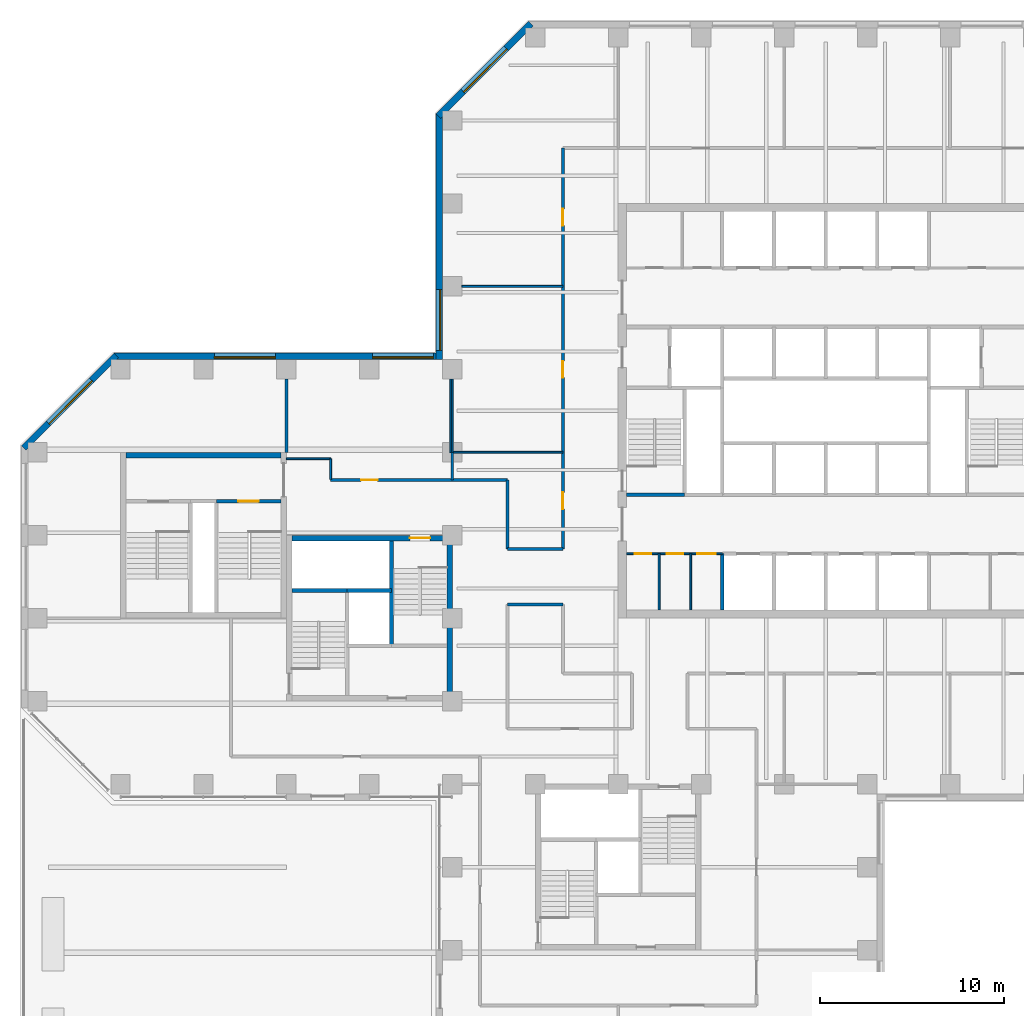
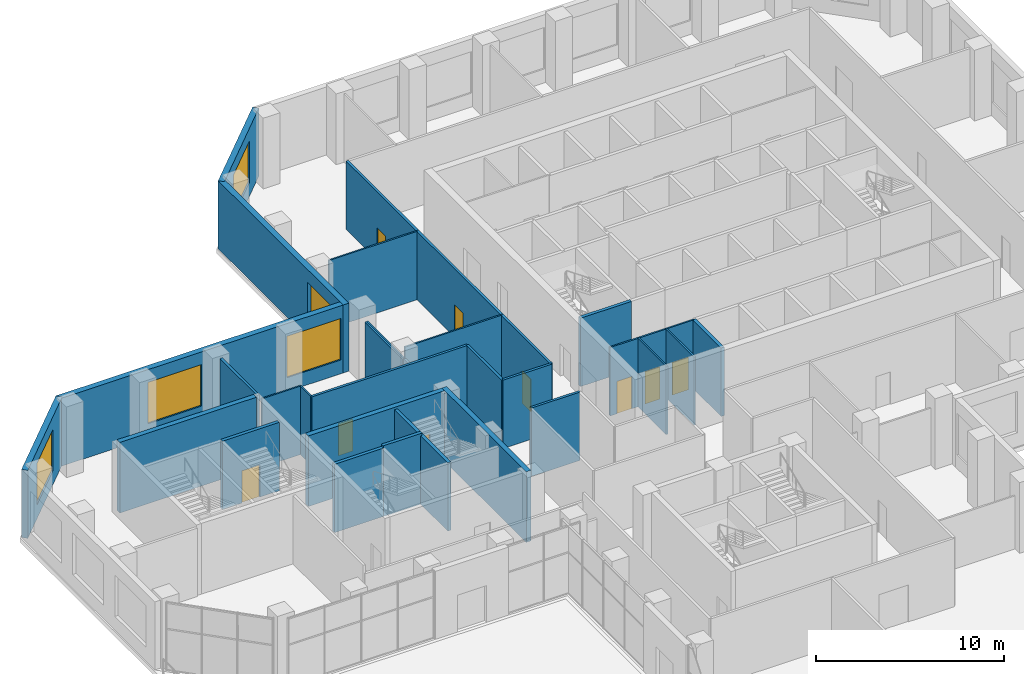
# One storey, part 8 of 14: 29 walls, 9 doors, 5 windows, 14 openings.
"""IFC4 building model written with IfcOpenShell, lengths in metres."""

from ifc_helpers import new_model, si_unit, direction, frame, frame_2d, origin, place, context, subcontext, project, spatial, rectangle, extrude, material, layer, layer_set, constituent, constituent_set, type_object, element, fill, save


model = new_model("IFC4")

# Units and contexts
model_context = context("Model", 3, precision=1e-05, world=origin(), true_north=direction((0.0, 1.0)))
body_context = subcontext(model_context, "Body", "Model", "MODEL_VIEW")
ifc_project = project(units=[si_unit("LENGTHUNIT", "METRE"), si_unit("AREAUNIT", "SQUARE_METRE"), si_unit("VOLUMEUNIT", "CUBIC_METRE"), si_unit("PLANEANGLEUNIT", "RADIAN"), si_unit("MASSUNIT", "GRAM", prefix="KILO")], contexts=[model_context])

# Site, building, storey
site_placement = place(None, origin())
site = spatial("IfcSite", under=ifc_project, at=site_placement, CompositionType="ELEMENT")
building_placement = place(site_placement, origin())
building = spatial("IfcBuilding", under=site, at=building_placement, Name="Quoin Convention Tower", CompositionType="ELEMENT")
storey_placement = place(building_placement, frame((0.0, 0.0, 74.300048828125)))
storey = spatial("IfcBuildingStorey", under=building, at=storey_placement, Name="L19", CompositionType="ELEMENT", Elevation=74.300048828125)

# Wall, opening, window
ifc_material_1 = material(Name="Brick masonry", Category="masonry")
ifc_layer_1 = layer(ifc_material_1, 0.35009765625)
ifc_layer_set_1 = layer_set([ifc_layer_1], Name="Brick masonry")
wall_type_1 = type_object("IfcWallType", Name="Brick facade wall", PredefinedType="STANDARD", material=ifc_layer_set_1)
wall_1_placement = place(storey_placement, frame((40.26123046875, 81.751220703125, 0.0), z_axis=(0.0, 0.0, 1.0), x_axis=(-0.707106781187, -0.707106781187, 0.0)))
wall_1 = element("IfcWall", 1, at=wall_1_placement, inside=storey, type_object=wall_type_1, Name="fw-L19-40500_81000", PredefinedType="STANDARD", context=body_context, shape_type="SweptSolid", body=[
    extrude(rectangle(XDim=7.088623046875, YDim=0.35009765625, at=frame_2d((3.54443359375, 0.0))), origin(), (0.0, 0.0, 1.0), 4.425048828125),
])
opening_1_placement = place(wall_1_placement, frame((1.894287109375, 0.0, 0.89990234375)))
opening_1 = element("IfcOpeningElement", 2, at=opening_1_placement, cuts=wall_1, Name="Opening W-03", PredefinedType="OPENING", context=body_context, shape_type="SweptSolid", body=[
    extrude(rectangle(XDim=3.300048828125, YDim=2.699951171875, at=frame_2d((1.64990234375, 1.35009765625))), frame((0.0, 0.18505859375, 0.0), z_axis=(0.0, -1.0, 0.0), x_axis=(1.0, 0.0, 0.0)), (0.0, 0.0, 1.0), 0.3701171875),
])
ifc_material_2 = material(Name="Aluminium", Category="aluminium")
ifc_constituent_1 = constituent(ifc_material_2, Name="Frame")
ifc_material_3 = material(Name="Insulated glass", Category="glass")
ifc_constituent_2 = constituent(ifc_material_3, Name="Glazing")
ifc_constituent_set = constituent_set(constituents=[ifc_constituent_1, ifc_constituent_2], Name="Aluminium")
window_type = type_object("IfcWindowType", Name="Sky lobby window", PartitioningType="DOUBLE_PANEL_VERTICAL", PredefinedType="WINDOW", material=ifc_constituent_set)
window_1_placement = place(opening_1_placement, origin())
window_1 = element("IfcWindow", 3, at=window_1_placement, inside=storey, type_object=window_type, Name="win-L19-37755_79245", OverallHeight=2.699951171875, OverallWidth=3.300048828125, PartitioningType="SINGLE_PANEL", PredefinedType="WINDOW", context=body_context, shape_type="SweptSolid", body=[
    extrude(rectangle(XDim=3.300048828125, YDim=2.699951171875, at=frame_2d((1.64990234375, 1.35009765625))), frame((0.0, 0.0849609375, 0.0), z_axis=(0.0, -1.0, 0.0), x_axis=(1.0, 0.0, 0.0)), (0.0, 0.0, 1.0), 0.06005859375),
])
fill(opening_1, window_1)

wall_2_placement = place(storey_placement, frame((35.300048828125, 76.8623046875, 0.0), z_axis=(0.0, 0.0, 1.0), x_axis=(0.0, -1.0, 0.0)))
wall_2 = element("IfcWall", 4, at=wall_2_placement, inside=storey, type_object=wall_type_1, Name="fw-L19-36000_76500", PredefinedType="STANDARD", context=body_context, shape_type="SweptSolid", body=[
    extrude(rectangle(XDim=13.33740234375, YDim=0.35009765625, at=frame_2d((6.668701171875, 0.0))), origin(), (0.0, 0.0, 1.0), 4.425048828125),
])
opening_2_placement = place(wall_2_placement, frame((9.537353515625, 0.0, 0.89990234375)))
opening_2 = element("IfcOpeningElement", 5, at=opening_2_placement, cuts=wall_2, Name="Opening W-03", PredefinedType="OPENING", context=body_context, shape_type="SweptSolid", body=[
    extrude(rectangle(XDim=3.300048828125, YDim=2.699951171875, at=frame_2d((1.64990234375, 1.35009765625))), frame((0.0, 0.18505859375, 0.0), z_axis=(0.0, -1.0, 0.0), x_axis=(1.0, 0.0, 0.0)), (0.0, 0.0, 1.0), 0.3701171875),
])
window_2_placement = place(opening_2_placement, origin())
window_2 = element("IfcWindow", 6, at=window_2_placement, inside=storey, type_object=window_type, Name="win-L19-35300_65250", OverallHeight=2.699951171875, OverallWidth=3.300048828125, PartitioningType="SINGLE_PANEL", PredefinedType="WINDOW", context=body_context, shape_type="SweptSolid", body=[
    extrude(rectangle(XDim=3.300048828125, YDim=2.699951171875, at=frame_2d((1.64990234375, 1.35009765625))), frame((0.0, 0.0849609375, 0.0), z_axis=(0.0, -1.0, 0.0), x_axis=(1.0, 0.0, 0.0)), (0.0, 0.0, 1.0), 0.06005859375),
])
fill(opening_2, window_2)

# Wall, openings, windows
wall_3_placement = place(storey_placement, frame((35.47509765625, 63.699951171875, 0.0), z_axis=(0.0, 0.0, 1.0), x_axis=(-1.0, 0.0, 0.0)))
wall_3 = element("IfcWall", 7, at=wall_3_placement, inside=storey, type_object=wall_type_1, Name="fw-L19-36000_63000", PredefinedType="STANDARD", context=body_context, shape_type="SweptSolid", body=[
    extrude(rectangle(XDim=17.83740234375, YDim=0.35009765625, at=frame_2d((8.918701171875, 0.0))), origin(), (0.0, 0.0, 1.0), 4.425048828125),
])
opening_3_placement = place(wall_3_placement, frame((0.5, 0.0, 0.89990234375)))
opening_3 = element("IfcOpeningElement", 8, at=opening_3_placement, cuts=wall_3, Name="Opening W-03", PredefinedType="OPENING", context=body_context, shape_type="SweptSolid", body=[
    extrude(rectangle(XDim=3.300048828125, YDim=2.699951171875, at=frame_2d((1.64990234375, 1.35009765625))), frame((0.0, 0.18505859375, 0.0), z_axis=(0.0, -1.0, 0.0), x_axis=(1.0, 0.0, 0.0)), (0.0, 0.0, 1.0), 0.3701171875),
])
opening_4_placement = place(wall_3_placement, frame((9.074951171875, 0.0, 0.89990234375)))
opening_4 = element("IfcOpeningElement", 9, at=opening_4_placement, cuts=wall_3, Name="Opening W-03", PredefinedType="OPENING", context=body_context, shape_type="SweptSolid", body=[
    extrude(rectangle(XDim=3.300048828125, YDim=2.699951171875, at=frame_2d((1.64990234375, 1.35009765625))), frame((0.0, 0.18505859375, 0.0), z_axis=(0.0, -1.0, 0.0), x_axis=(1.0, 0.0, 0.0)), (0.0, 0.0, 1.0), 0.3701171875),
])
window_3_placement = place(opening_3_placement, origin())
window_3 = element("IfcWindow", 10, at=window_3_placement, inside=storey, type_object=window_type, Name="win-L19-33750_63700", OverallHeight=2.699951171875, OverallWidth=3.300048828125, PartitioningType="SINGLE_PANEL", PredefinedType="WINDOW", context=body_context, shape_type="SweptSolid", body=[
    extrude(rectangle(XDim=3.300048828125, YDim=2.699951171875, at=frame_2d((1.64990234375, 1.35009765625))), frame((0.0, 0.0849609375, 0.0), z_axis=(0.0, -1.0, 0.0), x_axis=(1.0, 0.0, 0.0)), (0.0, 0.0, 1.0), 0.06005859375),
])
fill(opening_3, window_3)
window_4_placement = place(opening_4_placement, origin())
window_4 = element("IfcWindow", 11, at=window_4_placement, inside=storey, type_object=window_type, Name="win-L19-24750_63700", OverallHeight=2.699951171875, OverallWidth=3.300048828125, PartitioningType="SINGLE_PANEL", PredefinedType="WINDOW", context=body_context, shape_type="SweptSolid", body=[
    extrude(rectangle(XDim=3.300048828125, YDim=2.699951171875, at=frame_2d((1.64990234375, 1.35009765625))), frame((0.0, 0.0849609375, 0.0), z_axis=(0.0, -1.0, 0.0), x_axis=(1.0, 0.0, 0.0)), (0.0, 0.0, 1.0), 0.06005859375),
])
fill(opening_4, window_4)

# Wall, opening, window
wall_4_placement = place(storey_placement, frame((17.76123046875, 63.751220703125, 0.0), z_axis=(0.0, 0.0, 1.0), x_axis=(-0.707106781187, -0.707106781187, 0.0)))
wall_4 = element("IfcWall", 12, at=wall_4_placement, inside=storey, type_object=wall_type_1, Name="fw-L19-18000_63000", PredefinedType="STANDARD", context=body_context, shape_type="SweptSolid", body=[
    extrude(rectangle(XDim=7.088623046875, YDim=0.35009765625, at=frame_2d((3.54443359375, 0.0))), origin(), (0.0, 0.0, 1.0), 4.425048828125),
])
opening_5_placement = place(wall_4_placement, frame((1.894287109375, 0.0, 0.89990234375)))
opening_5 = element("IfcOpeningElement", 13, at=opening_5_placement, cuts=wall_4, Name="Opening W-03", PredefinedType="OPENING", context=body_context, shape_type="SweptSolid", body=[
    extrude(rectangle(XDim=3.300048828125, YDim=2.699951171875, at=frame_2d((1.64990234375, 1.35009765625))), frame((0.0, 0.18505859375, 0.0), z_axis=(0.0, -1.0, 0.0), x_axis=(1.0, 0.0, 0.0)), (0.0, 0.0, 1.0), 0.3701171875),
])
window_5_placement = place(opening_5_placement, origin())
window_5 = element("IfcWindow", 14, at=window_5_placement, inside=storey, type_object=window_type, Name="win-L19-15255_61245", OverallHeight=2.699951171875, OverallWidth=3.300048828125, PartitioningType="SINGLE_PANEL", PredefinedType="WINDOW", context=body_context, shape_type="SweptSolid", body=[
    extrude(rectangle(XDim=3.300048828125, YDim=2.699951171875, at=frame_2d((1.64990234375, 1.35009765625))), frame((0.0, 0.0849609375, 0.0), z_axis=(0.0, -1.0, 0.0), x_axis=(1.0, 0.0, 0.0)), (0.0, 0.0, 1.0), 0.06005859375),
])
fill(opening_5, window_5)

# Wall, openings, doors
ifc_material_4 = material(Name="Plasterboard")
ifc_layer_2 = layer(ifc_material_4, 0.012451171875, Name="Finish")
ifc_material_5 = material(Name="Steel stud framing", Category="steel")
ifc_layer_3 = layer(ifc_material_5, 0.074951171875, Name="Structure")
ifc_layer_4 = layer(ifc_material_4, 0.012451171875, Name="Finish")
ifc_layer_set_2 = layer_set([ifc_layer_2, ifc_layer_3, ifc_layer_4], Name="Steel stud framing")
wall_type_2 = type_object("IfcWallType", Name="Core partition wall", PredefinedType="PARTITIONING", material=ifc_layer_set_2)
wall_5_placement = place(storey_placement, frame((45.449951171875, 53.0, 0.0), z_axis=(0.0, 0.0, 1.0), x_axis=(1.0, 0.0, 0.0)))
wall_5 = element("IfcWall", 15, at=wall_5_placement, inside=storey, type_object=wall_type_2, Name="cr-C1-L19-h3500_450", PredefinedType="PARTITIONING", context=body_context, shape_type="SweptSolid", body=[
    extrude(rectangle(XDim=5.199951171875, YDim=0.10009765625, at=frame_2d((2.60009765625, 0.0))), origin(), (0.0, 0.0, 1.0), 4.449951171875),
])
opening_6_placement = place(wall_5_placement, frame((0.43408203125, 0.0, 0.0)))
opening_6 = element("IfcOpeningElement", 16, at=opening_6_placement, cuts=wall_5, Name="Opening DCV1-37", PredefinedType="OPENING", context=body_context, shape_type="SweptSolid", body=[
    extrude(rectangle(XDim=0.89990234375, YDim=2.10009765625, at=frame_2d((0.449951171875, 1.050048828125))), frame((0.0, 0.06005859375, 0.0), z_axis=(0.0, -1.0, 0.0), x_axis=(1.0, 0.0, 0.0)), (0.0, 0.0, 1.0), 0.1201171875),
])
opening_7_placement = place(wall_5_placement, frame((2.176025390625, 0.0, 0.0)))
opening_7 = element("IfcOpeningElement", 17, at=opening_7_placement, cuts=wall_5, Name="Opening DCV1-38", PredefinedType="OPENING", context=body_context, shape_type="SweptSolid", body=[
    extrude(rectangle(XDim=0.89990234375, YDim=2.10009765625, at=frame_2d((0.449951171875, 1.050048828125))), frame((0.0, 0.06005859375, 0.0), z_axis=(0.0, -1.0, 0.0), x_axis=(1.0, 0.0, 0.0)), (0.0, 0.0, 1.0), 0.1201171875),
])
opening_8_placement = place(wall_5_placement, frame((3.842041015625, 0.0, 0.0)))
opening_8 = element("IfcOpeningElement", 18, at=opening_8_placement, cuts=wall_5, Name="Opening DCV1-39", PredefinedType="OPENING", context=body_context, shape_type="SweptSolid", body=[
    extrude(rectangle(XDim=1.0, YDim=2.10009765625, at=frame_2d((0.5, 1.050048828125))), frame((0.0, 0.06005859375, 0.0), z_axis=(0.0, -1.0, 0.0), x_axis=(1.0, 0.0, 0.0)), (0.0, 0.0, 1.0), 0.1201171875),
])
ifc_material_6 = material(Name="Steel door leaf", Category="steel")
door_type_1 = type_object("IfcDoorType", Name="Core room door 1000 x 2100", OperationType="SINGLE_SWING_LEFT", PredefinedType="DOOR", material=ifc_material_6)
door_1_placement = place(opening_8_placement, frame((1.0, 0.0, 0.0), z_axis=(0.0, 0.0, 1.0), x_axis=(-1.0, 0.0, 0.0)))
door_1 = element("IfcDoor", 19, at=door_1_placement, inside=storey, type_object=door_type_1, Name="cd-C1-L19-CSW2-lobA-CD1914", OperationType="SINGLE_SWING_LEFT", OverallHeight=2.10009765625, OverallWidth=1.0, PredefinedType="DOOR", context=body_context, shape_type="SweptSolid", body=[
    extrude(rectangle(XDim=1.0, YDim=2.10009765625, at=frame_2d((0.5, 1.050048828125))), frame((0.0, 0.02490234375, 0.0), z_axis=(0.0, -1.0, 0.0), x_axis=(1.0, 0.0, 0.0)), (0.0, 0.0, 1.0), 0.050048828125),
])
fill(opening_8, door_1)
door_type_2 = type_object("IfcDoorType", Name="Core room door 900 x 2100", OperationType="SINGLE_SWING_LEFT", PredefinedType="DOOR", material=ifc_material_6)
door_2_placement = place(opening_6_placement, frame((0.89990234375, 0.0, 0.0), z_axis=(0.0, 0.0, 1.0), x_axis=(-1.0, 0.0, 0.0)))
door_2 = element("IfcDoor", 20, at=door_2_placement, inside=storey, type_object=door_type_2, Name="cd-C1-L19-CSW0-lobA-CD1912", OperationType="SINGLE_SWING_LEFT", OverallHeight=2.10009765625, OverallWidth=0.89990234375, PredefinedType="DOOR", context=body_context, shape_type="SweptSolid", body=[
    extrude(rectangle(XDim=0.89990234375, YDim=2.10009765625, at=frame_2d((0.449951171875, 1.050048828125))), frame((0.0, 0.02490234375, 0.0), z_axis=(0.0, -1.0, 0.0), x_axis=(1.0, 0.0, 0.0)), (0.0, 0.0, 1.0), 0.050048828125),
])
fill(opening_6, door_2)
door_3_placement = place(opening_7_placement, frame((0.89990234375, 0.0, 0.0), z_axis=(0.0, 0.0, 1.0), x_axis=(-1.0, 0.0, 0.0)))
door_3 = element("IfcDoor", 21, at=door_3_placement, inside=storey, type_object=door_type_2, Name="cd-C1-L19-CSW1-lobA-CD1913", OperationType="SINGLE_SWING_LEFT", OverallHeight=2.10009765625, OverallWidth=0.89990234375, PredefinedType="DOOR", context=body_context, shape_type="SweptSolid", body=[
    extrude(rectangle(XDim=0.89990234375, YDim=2.10009765625, at=frame_2d((0.449951171875, 1.050048828125))), frame((0.0, 0.02490234375, 0.0), z_axis=(0.0, -1.0, 0.0), x_axis=(1.0, 0.0, 0.0)), (0.0, 0.0, 1.0), 0.050048828125),
])
fill(opening_7, door_3)

# Walls
for number, where, z_axis, x_axis, name in (
    (22, (47.218017578125, 49.949951171875, 0.0), (0.0, 0.0, 1.0), (0.0, 1.0, 0.0), "cr-C1-L19-v2218_450"),
    (23, (48.93408203125, 49.949951171875, 0.0), (0.0, 0.0, 1.0), (0.0, 1.0, 0.0), "cr-C1-L19-v3934_450"),
):
    element("IfcWall", number, at=place(storey_placement, frame(where, z_axis=z_axis, x_axis=x_axis)), inside=storey, type_object=wall_type_2, Name=name, PredefinedType="PARTITIONING", context=body_context, shape_type="SweptSolid", body=[
        extrude(rectangle(XDim=3.050048828125, YDim=0.10009765625, at=frame_2d((1.52490234375, 0.0))), origin(), (0.0, 0.0, 1.0), 4.449951171875),
    ])
ifc_material_7 = material(Name="Concrete C50", Category="concrete")
ifc_layer_5 = layer(ifc_material_7, 0.199951171875)
ifc_layer_set_3 = layer_set([ifc_layer_5], Name="Concrete C50")
wall_type_3 = type_object("IfcWallType", Name="Core shaft wall", PredefinedType="SOLIDWALL", material=ifc_layer_set_3)
wall_6_placement = place(storey_placement, frame((45.449951171875, 56.199951171875, 0.0), z_axis=(0.0, 0.0, 1.0), x_axis=(1.0, 0.0, 0.0)))
element("IfcWall", 24, at=wall_6_placement, inside=storey, type_object=wall_type_3, Name="cr-C1-L19-h6700_450", PredefinedType="SOLIDWALL", context=body_context, shape_type="SweptSolid", body=[
    extrude(rectangle(XDim=3.150146484375, YDim=0.199951171875, at=frame_2d((1.5751953125, 0.0))), origin(), (0.0, 0.0, 1.0), 4.449951171875),
])
wall_7_placement = place(storey_placement, frame((50.64990234375, 49.949951171875, 0.0), z_axis=(0.0, 0.0, 1.0), x_axis=(0.0, 1.0, 0.0)))
element("IfcWall", 25, at=wall_7_placement, inside=storey, type_object=wall_type_3, Name="cr-C1-L19-v5650_450", PredefinedType="SOLIDWALL", context=body_context, shape_type="SweptSolid", body=[
    extrude(rectangle(XDim=3.050048828125, YDim=0.199951171875, at=frame_2d((1.52490234375, 0.0))), origin(), (0.0, 0.0, 1.0), 4.449951171875),
])
wall_8_placement = place(storey_placement, frame((27.300048828125, 51.0, 0.0), z_axis=(0.0, 0.0, 1.0), x_axis=(1.0, 0.0, 0.0)))
element("IfcWall", 26, at=wall_8_placement, inside=storey, type_object=wall_type_3, Name="cr-P2-L19-h6000_300", PredefinedType="SOLIDWALL", context=body_context, shape_type="SweptSolid", body=[
    extrude(rectangle(XDim=3.0, YDim=0.199951171875, at=frame_2d((1.5, 0.0))), origin(), (0.0, 0.0, 1.0), 4.449951171875),
])
wall_9_placement = place(storey_placement, frame((32.699951171875, 48.0, 0.0), z_axis=(0.0, 0.0, 1.0), x_axis=(0.0, 1.0, 0.0)))
element("IfcWall", 27, at=wall_9_placement, inside=storey, type_object=wall_type_3, Name="cr-P2-L19-v5700_3000", PredefinedType="SOLIDWALL", context=body_context, shape_type="SweptSolid", body=[
    extrude(rectangle(XDim=5.699951171875, YDim=0.199951171875, at=frame_2d((2.85009765625, 0.0))), origin(), (0.0, 0.0, 1.0), 4.449951171875),
])

# Wall, opening, door
wall_10_placement = place(storey_placement, frame((23.199951171875, 55.85009765625, 0.0), z_axis=(0.0, 0.0, 1.0), x_axis=(1.0, 0.0, 0.0)))
wall_10 = element("IfcWall", 28, at=wall_10_placement, inside=storey, type_object=wall_type_3, Name="cr-P6-L19-h6350_5200", PredefinedType="SOLIDWALL", context=body_context, shape_type="SweptSolid", body=[
    extrude(rectangle(XDim=3.5, YDim=0.199951171875, at=frame_2d((1.75, 0.0))), origin(), (0.0, 0.0, 1.0), 4.449951171875),
])
opening_9_placement = place(wall_10_placement, frame((1.199951171875, 0.0, 0.0)))
opening_9 = element("IfcOpeningElement", 29, at=opening_9_placement, cuts=wall_10, Name="Opening SD12", PredefinedType="OPENING", context=body_context, shape_type="SweptSolid", body=[
    extrude(rectangle(XDim=1.10009765625, YDim=2.10009765625, at=frame_2d((0.550048828125, 1.050048828125))), frame((0.0, 0.10986328125, 0.0), z_axis=(0.0, -1.0, 0.0), x_axis=(1.0, 0.0, 0.0)), (0.0, 0.0, 1.0), 0.219970703125),
])
door_type_3 = type_object("IfcDoorType", Name="Stair door 1100 x 2100", OperationType="SINGLE_SWING_RIGHT", PredefinedType="DOOR", material=ifc_material_6)
door_4_placement = place(opening_9_placement, origin())
door_4 = element("IfcDoor", 30, at=door_4_placement, inside=storey, type_object=door_type_3, Name="cd-P6-L19-SB-R2-SD12", OperationType="SINGLE_SWING_RIGHT", OverallHeight=2.10009765625, OverallWidth=1.10009765625, PredefinedType="DOOR", context=body_context, shape_type="SweptSolid", body=[
    extrude(rectangle(XDim=1.10009765625, YDim=2.10009765625, at=frame_2d((0.550048828125, 1.050048828125))), frame((0.0, 0.02490234375, 0.0), z_axis=(0.0, -1.0, 0.0), x_axis=(1.0, 0.0, 0.0)), (0.0, 0.0, 1.0), 0.050048828125),
])
fill(opening_9, door_4)

# Wall
ifc_layer_6 = layer(ifc_material_7, 0.199951171875)
ifc_layer_set_4 = layer_set([ifc_layer_6], Name="Concrete C50")
wall_type_4 = type_object("IfcWallType", Name="Core shaft wall to the floor level over", PredefinedType="SOLIDWALL", material=ifc_layer_set_4)
wall_11_placement = place(storey_placement, frame((30.300048828125, 51.0, 0.0), z_axis=(0.0, 0.0, 1.0), x_axis=(1.0, 0.0, 0.0)))
element("IfcWall", 31, at=wall_11_placement, inside=storey, type_object=wall_type_4, Name="cr-P2-L19-h6000_3300", PredefinedType="SOLIDWALL", context=body_context, shape_type="SweptSolid", body=[
    extrude(rectangle(XDim=2.39990234375, YDim=0.199951171875, at=frame_2d((1.199951171875, 0.0))), origin(), (0.0, 0.0, 1.0), 4.599853515625),
])

# Wall, opening, door
ifc_material_8 = material(Name="Concrete C65", Category="concrete")
ifc_layer_7 = layer(ifc_material_8, 0.300048828125)
ifc_layer_set_5 = layer_set([ifc_layer_7], Name="Concrete C65")
wall_type_5 = type_object("IfcWallType", Name="RC CORE WALL 300 C65", PredefinedType="SHEAR", material=ifc_layer_set_5)
wall_12_placement = place(storey_placement, frame((27.300048828125, 53.85009765625, 0.0), z_axis=(0.0, 0.0, 1.0), x_axis=(1.0, 0.0, 0.0)))
wall_12 = element("IfcWall", 32, at=wall_12_placement, inside=storey, type_object=wall_type_5, Name="cwl-P2-L19-N", PredefinedType="SHEAR", context=body_context, shape_type="SweptSolid", body=[
    extrude(rectangle(XDim=8.39990234375, YDim=0.300048828125, at=frame_2d((4.199951171875, 0.0))), origin(), (0.0, 0.0, 1.0), 4.599853515625),
])
opening_10_placement = place(wall_12_placement, frame((6.39990234375, 0.0, 0.0)))
opening_10 = element("IfcOpeningElement", 33, at=opening_10_placement, cuts=wall_12, Name="Opening SD4", PredefinedType="OPENING", context=body_context, shape_type="SweptSolid", body=[
    extrude(rectangle(XDim=1.10009765625, YDim=2.10009765625, at=frame_2d((0.550048828125, 1.050048828125))), frame((0.0, 0.159912109375, 0.0), z_axis=(0.0, -1.0, 0.0), x_axis=(1.0, 0.0, 0.0)), (0.0, 0.0, 1.0), 0.320068359375),
])
door_5_placement = place(opening_10_placement, frame((1.10009765625, 0.0, 0.0), z_axis=(0.0, 0.0, 1.0), x_axis=(-1.0, 0.0, 0.0)))
door_5 = element("IfcDoor", 34, at=door_5_placement, inside=storey, type_object=door_type_3, Name="cd-P2-L19-SB-N", OperationType="SINGLE_SWING_LEFT", OverallHeight=2.10009765625, OverallWidth=1.10009765625, PredefinedType="DOOR", context=body_context, shape_type="SweptSolid", body=[
    extrude(rectangle(XDim=1.10009765625, YDim=2.10009765625, at=frame_2d((0.550048828125, 1.050048828125))), frame((0.0, 0.02490234375, 0.0), z_axis=(0.0, -1.0, 0.0), x_axis=(1.0, 0.0, 0.0)), (0.0, 0.0, 1.0), 0.050048828125),
])
fill(opening_10, door_5)

# Walls
wall_13_placement = place(storey_placement, frame((35.85009765625, 45.0, 0.0), z_axis=(0.0, 0.0, 1.0), x_axis=(0.0, 1.0, 0.0)))
element("IfcWall", 35, at=wall_13_placement, inside=storey, type_object=wall_type_5, Name="cwl-P2-L19-E", PredefinedType="SHEAR", context=body_context, shape_type="SweptSolid", body=[
    extrude(rectangle(XDim=9.0, YDim=0.300048828125, at=frame_2d((4.5, 0.0))), origin(), (0.0, 0.0, 1.0), 4.599853515625),
])
wall_14_placement = place(storey_placement, frame((18.300048828125, 58.35009765625, 0.0), z_axis=(0.0, 0.0, 1.0), x_axis=(1.0, 0.0, 0.0)))
element("IfcWall", 36, at=wall_14_placement, inside=storey, type_object=wall_type_5, Name="cwl-P6-L19-N", PredefinedType="SHEAR", context=body_context, shape_type="SweptSolid", body=[
    extrude(rectangle(XDim=8.39990234375, YDim=0.300048828125, at=frame_2d((4.199951171875, 0.0))), origin(), (0.0, 0.0, 1.0), 4.599853515625),
])
ifc_layer_8 = layer(ifc_material_4, 0.012451171875, Name="Finish")
ifc_layer_9 = layer(ifc_material_5, 0.074951171875, Name="Structure")
ifc_layer_10 = layer(ifc_material_4, 0.012451171875, Name="Finish")
ifc_layer_set_6 = layer_set([ifc_layer_8, ifc_layer_9, ifc_layer_10], Name="Steel stud framing")
wall_type_6 = type_object("IfcWallType", Name="Stud partition 100", PredefinedType="PARTITIONING", material=ifc_layer_set_6)
wall_15_placement = place(storey_placement, frame((27.0, 58.14990234375, 0.0), z_axis=(0.0, 0.0, 1.0), x_axis=(1.0, 0.0, 0.0)))
element("IfcWall", 37, at=wall_15_placement, inside=storey, type_object=wall_type_6, Name="pw-L19-w01", PredefinedType="PARTITIONING", context=body_context, shape_type="SweptSolid", body=[
    extrude(rectangle(XDim=2.39990234375, YDim=0.10009765625, at=frame_2d((1.199951171875, 0.0))), origin(), (0.0, 0.0, 1.0), 4.449951171875),
])
wall_16_placement = place(storey_placement, frame((29.39990234375, 58.139892578125, 0.0), z_axis=(0.0, 0.0, 1.0), x_axis=(0.0, -1.0, 0.0)))
element("IfcWall", 38, at=wall_16_placement, inside=storey, type_object=wall_type_6, Name="pw-L19-w02", PredefinedType="PARTITIONING", context=body_context, shape_type="SweptSolid", body=[
    extrude(rectangle(XDim=1.10498046875, YDim=0.10009765625, at=frame_2d((0.552490234375, 0.0))), origin(), (0.0, 0.0, 1.0), 4.449951171875),
])
ifc_layer_11 = layer(ifc_material_4, 0.012451171875, Name="Finish")
ifc_layer_12 = layer(ifc_material_5, 0.074951171875, Name="Structure")
ifc_layer_13 = layer(ifc_material_4, 0.012451171875, Name="Finish")
ifc_layer_set_7 = layer_set([ifc_layer_11, ifc_layer_12, ifc_layer_13], Name="Steel stud framing")
wall_type_7 = type_object("IfcWallType", Name="Stud partition 100 under beam 750", PredefinedType="PARTITIONING", material=ifc_layer_set_7)
wall_17_placement = place(storey_placement, frame((35.89990234375, 62.47509765625, 0.0), z_axis=(0.0, 0.0, 1.0), x_axis=(0.0, -1.0, 0.0)))
element("IfcWall", 39, at=wall_17_placement, inside=storey, type_object=wall_type_7, Name="pw-L19-w03", PredefinedType="PARTITIONING", context=body_context, shape_type="SweptSolid", body=[
    extrude(rectangle(XDim=3.998046875, YDim=0.10009765625, at=frame_2d((1.9990234375, 0.0))), origin(), (0.0, 0.0, 1.0), 3.699951171875),
])
ifc_layer_14 = layer(ifc_material_4, 0.012451171875, Name="Finish")
ifc_layer_15 = layer(ifc_material_5, 0.074951171875, Name="Structure")
ifc_layer_16 = layer(ifc_material_4, 0.012451171875, Name="Finish")
ifc_layer_set_8 = layer_set([ifc_layer_14, ifc_layer_15, ifc_layer_16], Name="Steel stud framing")
wall_type_8 = type_object("IfcWallType", Name="bathroom partition", PredefinedType="PARTITIONING", material=ifc_layer_set_8)
wall_18_placement = place(storey_placement, frame((36.0, 58.5, 0.0), z_axis=(0.0, 0.0, 1.0), x_axis=(1.0, 0.0, 0.0)))
element("IfcWall", 40, at=wall_18_placement, inside=storey, type_object=wall_type_8, Name="pw-L19-005", PredefinedType="PARTITIONING", context=body_context, shape_type="SweptSolid", body=[
    extrude(rectangle(XDim=6.0, YDim=0.10009765625, at=frame_2d((3.0, 0.0))), origin(), (0.0, 0.0, 1.0), 4.449951171875),
])
wall_19_placement = place(storey_placement, frame((36.52490234375, 67.5, 0.0), z_axis=(0.0, 0.0, 1.0), x_axis=(1.0, 0.0, 0.0)))
element("IfcWall", 41, at=wall_19_placement, inside=storey, type_object=wall_type_8, Name="pw-L19-007", PredefinedType="PARTITIONING", context=body_context, shape_type="SweptSolid", body=[
    extrude(rectangle(XDim=5.47509765625, YDim=0.10009765625, at=frame_2d((2.737548828125, 0.0))), origin(), (0.0, 0.0, 1.0), 4.449951171875),
])
ifc_layer_17 = layer(ifc_material_4, 0.012451171875, Name="Finish")
ifc_layer_18 = layer(ifc_material_5, 0.074951171875, Name="Structure")
ifc_layer_19 = layer(ifc_material_4, 0.012451171875, Name="Finish")
ifc_layer_set_9 = layer_set([ifc_layer_17, ifc_layer_18, ifc_layer_19], Name="Steel stud framing")
wall_type_9 = type_object("IfcWallType", Name="bathroom partition under beam 750", PredefinedType="PARTITIONING", material=ifc_layer_set_9)
wall_20_placement = place(storey_placement, frame((36.0, 58.5, 0.0), z_axis=(0.0, 0.0, 1.0), x_axis=(0.0, 1.0, 0.0)))
element("IfcWall", 42, at=wall_20_placement, inside=storey, type_object=wall_type_9, Name="pw-L19-006", PredefinedType="PARTITIONING", context=body_context, shape_type="SweptSolid", body=[
    extrude(rectangle(XDim=3.97509765625, YDim=0.10009765625, at=frame_2d((1.987548828125, 0.0))), origin(), (0.0, 0.0, 1.0), 3.699951171875),
])
ifc_layer_20 = layer(ifc_material_4, 0.012451171875, Name="Finish")
ifc_layer_21 = layer(ifc_material_5, 0.125, Name="Structure")
ifc_layer_22 = layer(ifc_material_4, 0.012451171875, Name="Finish")
ifc_layer_set_10 = layer_set([ifc_layer_20, ifc_layer_21, ifc_layer_22], Name="Steel stud framing")
wall_type_10 = type_object("IfcWallType", Name="corridor partition", PredefinedType="PARTITIONING", material=ifc_layer_set_10)
for number, where, z_axis, x_axis, name in (
    (43, (39.0, 50.25, 0.0), (0.0, 0.0, 1.0), (1.0, 0.0, 0.0), "pw-L19-024"),
    (44, (39.0, 53.25, 0.0), (0.0, 0.0, 1.0), (1.0, 0.0, 0.0), "pw-L19-025"),
):
    element("IfcWall", number, at=place(storey_placement, frame(where, z_axis=z_axis, x_axis=x_axis)), inside=storey, type_object=wall_type_10, Name=name, PredefinedType="PARTITIONING", context=body_context, shape_type="SweptSolid", body=[
        extrude(rectangle(XDim=3.0, YDim=0.14990234375, at=frame_2d((1.5, 0.0))), origin(), (0.0, 0.0, 1.0), 4.449951171875),
    ])
wall_21_placement = place(storey_placement, frame((39.0, 53.25, 0.0), z_axis=(0.0, 0.0, 1.0), x_axis=(0.0, 1.0, 0.0)))
element("IfcWall", 45, at=wall_21_placement, inside=storey, type_object=wall_type_10, Name="pw-L19-026", PredefinedType="PARTITIONING", context=body_context, shape_type="SweptSolid", body=[
    extrude(rectangle(XDim=3.75, YDim=0.14990234375, at=frame_2d((1.875, 0.0))), origin(), (0.0, 0.0, 1.0), 4.449951171875),
])

# Wall, openings, doors
wall_22_placement = place(storey_placement, frame((42.0, 53.25, 0.0), z_axis=(0.0, 0.0, 1.0), x_axis=(0.0, 1.0, 0.0)))
wall_22 = element("IfcWall", 46, at=wall_22_placement, inside=storey, type_object=wall_type_10, Name="pw-L19-027", PredefinedType="PARTITIONING", context=body_context, shape_type="SweptSolid", body=[
    extrude(rectangle(XDim=21.75, YDim=0.14990234375, at=frame_2d((10.875, 0.0))), origin(), (0.0, 0.0, 1.0), 4.449951171875),
])
opening_11_placement = place(wall_22_placement, frame((2.175048828125, 0.0, 0.0)))
opening_11 = element("IfcOpeningElement", 47, at=opening_11_placement, cuts=wall_22, Name="Opening DSKY-19-13", PredefinedType="OPENING", context=body_context, shape_type="SweptSolid", body=[
    extrude(rectangle(XDim=0.89990234375, YDim=2.10009765625, at=frame_2d((0.449951171875, 1.050048828125))), frame((0.0, 0.0849609375, 0.0), z_axis=(0.0, -1.0, 0.0), x_axis=(1.0, 0.0, 0.0)), (0.0, 0.0, 1.0), 0.169921875),
])
opening_12_placement = place(wall_22_placement, frame((9.300048828125, 0.0, 0.0)))
opening_12 = element("IfcOpeningElement", 48, at=opening_12_placement, cuts=wall_22, Name="Opening DSKY-19-14", PredefinedType="OPENING", context=body_context, shape_type="SweptSolid", body=[
    extrude(rectangle(XDim=0.89990234375, YDim=2.10009765625, at=frame_2d((0.449951171875, 1.050048828125))), frame((0.0, 0.0849609375, 0.0), z_axis=(0.0, -1.0, 0.0), x_axis=(1.0, 0.0, 0.0)), (0.0, 0.0, 1.0), 0.169921875),
])
opening_13_placement = place(wall_22_placement, frame((17.550048828125, 0.0, 0.0)))
opening_13 = element("IfcOpeningElement", 49, at=opening_13_placement, cuts=wall_22, Name="Opening DSKY-19-15", PredefinedType="OPENING", context=body_context, shape_type="SweptSolid", body=[
    extrude(rectangle(XDim=0.89990234375, YDim=2.10009765625, at=frame_2d((0.449951171875, 1.050048828125))), frame((0.0, 0.0849609375, 0.0), z_axis=(0.0, -1.0, 0.0), x_axis=(1.0, 0.0, 0.0)), (0.0, 0.0, 1.0), 0.169921875),
])
door_type_4 = type_object("IfcDoorType", Name="Service room door", OperationType="SINGLE_SWING_LEFT", PredefinedType="DOOR", material=ifc_material_6)
door_6_placement = place(opening_11_placement, origin())
door_6 = element("IfcDoor", 50, at=door_6_placement, inside=storey, type_object=door_type_4, Name="dr-L19-013", OperationType="SINGLE_SWING_RIGHT", OverallHeight=2.10009765625, OverallWidth=0.89990234375, PredefinedType="DOOR", context=body_context, shape_type="SweptSolid", body=[
    extrude(rectangle(XDim=0.89990234375, YDim=2.10009765625, at=frame_2d((0.449951171875, 1.050048828125))), frame((0.0, 0.02490234375, 0.0), z_axis=(0.0, -1.0, 0.0), x_axis=(1.0, 0.0, 0.0)), (0.0, 0.0, 1.0), 0.050048828125),
])
fill(opening_11, door_6)
door_type_5 = type_object("IfcDoorType", Name="Single room door", OperationType="SINGLE_SWING_RIGHT", PredefinedType="DOOR", material=ifc_material_6)
door_7_placement = place(opening_13_placement, origin())
door_7 = element("IfcDoor", 51, at=door_7_placement, inside=storey, type_object=door_type_5, Name="dr-L19-017", OperationType="SINGLE_SWING_LEFT", OverallHeight=2.10009765625, OverallWidth=0.89990234375, PredefinedType="DOOR", context=body_context, shape_type="SweptSolid", body=[
    extrude(rectangle(XDim=0.89990234375, YDim=2.10009765625, at=frame_2d((0.449951171875, 1.050048828125))), frame((0.0, 0.02490234375, 0.0), z_axis=(0.0, -1.0, 0.0), x_axis=(1.0, 0.0, 0.0)), (0.0, 0.0, 1.0), 0.050048828125),
])
fill(opening_13, door_7)
door_type_6 = type_object("IfcDoorType", Name="Toilet door", OperationType="SINGLE_SWING_LEFT", PredefinedType="DOOR", material=ifc_material_6)
door_8_placement = place(opening_12_placement, origin())
door_8 = element("IfcDoor", 52, at=door_8_placement, inside=storey, type_object=door_type_6, Name="dr-L19-015", OperationType="SINGLE_SWING_RIGHT", OverallHeight=2.10009765625, OverallWidth=0.89990234375, PredefinedType="DOOR", context=body_context, shape_type="SweptSolid", body=[
    extrude(rectangle(XDim=0.89990234375, YDim=2.10009765625, at=frame_2d((0.449951171875, 1.050048828125))), frame((0.0, 0.02490234375, 0.0), z_axis=(0.0, -1.0, 0.0), x_axis=(1.0, 0.0, 0.0)), (0.0, 0.0, 1.0), 0.050048828125),
])
fill(opening_12, door_8)

# Wall, opening, door
wall_23_placement = place(storey_placement, frame((29.3798828125, 57.0, 0.0), z_axis=(0.0, 0.0, 1.0), x_axis=(1.0, 0.0, 0.0)))
wall_23 = element("IfcWall", 53, at=wall_23_placement, inside=storey, type_object=wall_type_10, Name="pw-L19-028", PredefinedType="PARTITIONING", context=body_context, shape_type="SweptSolid", body=[
    extrude(rectangle(XDim=9.6201171875, YDim=0.14990234375, at=frame_2d((4.81005859375, 0.0))), origin(), (0.0, 0.0, 1.0), 4.449951171875),
])
opening_14_placement = place(wall_23_placement, frame((1.669921875, 0.0, 0.0)))
opening_14 = element("IfcOpeningElement", 54, at=opening_14_placement, cuts=wall_23, Name="Opening DSKY-19-16", PredefinedType="OPENING", context=body_context, shape_type="SweptSolid", body=[
    extrude(rectangle(XDim=0.89990234375, YDim=2.10009765625, at=frame_2d((0.449951171875, 1.050048828125))), frame((0.0, 0.0849609375, 0.0), z_axis=(0.0, -1.0, 0.0), x_axis=(1.0, 0.0, 0.0)), (0.0, 0.0, 1.0), 0.169921875),
])
door_9_placement = place(opening_14_placement, origin())
door_9 = element("IfcDoor", 55, at=door_9_placement, inside=storey, type_object=door_type_5, Name="dr-L19-014", OperationType="SINGLE_SWING_LEFT", OverallHeight=2.10009765625, OverallWidth=0.89990234375, PredefinedType="DOOR", context=body_context, shape_type="SweptSolid", body=[
    extrude(rectangle(XDim=0.89990234375, YDim=2.10009765625, at=frame_2d((0.449951171875, 1.050048828125))), frame((0.0, 0.02490234375, 0.0), z_axis=(0.0, -1.0, 0.0), x_axis=(1.0, 0.0, 0.0)), (0.0, 0.0, 1.0), 0.050048828125),
])
fill(opening_14, door_9)

# Walls
ifc_layer_23 = layer(ifc_material_4, 0.012451171875, Name="Finish")
ifc_layer_24 = layer(ifc_material_5, 0.125, Name="Structure")
ifc_layer_25 = layer(ifc_material_4, 0.012451171875, Name="Finish")
ifc_layer_set_11 = layer_set([ifc_layer_23, ifc_layer_24, ifc_layer_25], Name="Steel stud framing")
wall_type_11 = type_object("IfcWallType", Name="room partition", PredefinedType="PARTITIONING", material=ifc_layer_set_11)
wall_24_placement = place(storey_placement, frame((27.0, 58.5, 0.0), z_axis=(0.0, 0.0, 1.0), x_axis=(0.0, 1.0, 0.0)))
element("IfcWall", 56, at=wall_24_placement, inside=storey, type_object=wall_type_11, Name="pw-L19-034", PredefinedType="PARTITIONING", context=body_context, shape_type="SweptSolid", body=[
    extrude(rectangle(XDim=3.97509765625, YDim=0.14990234375, at=frame_2d((1.987548828125, 0.0))), origin(), (0.0, 0.0, 1.0), 4.449951171875),
])
ifc_layer_26 = layer(ifc_material_4, 0.012451171875, Name="Finish")
ifc_layer_27 = layer(ifc_material_5, 0.125, Name="Structure")
ifc_layer_28 = layer(ifc_material_4, 0.012451171875, Name="Finish")
ifc_layer_set_12 = layer_set([ifc_layer_26, ifc_layer_27, ifc_layer_28], Name="Steel stud framing")
wall_type_12 = type_object("IfcWallType", Name="room partition under beam 750", PredefinedType="PARTITIONING", material=ifc_layer_set_12)
wall_25_placement = place(storey_placement, frame((36.0, 57.0, 0.0), z_axis=(0.0, 0.0, 1.0), x_axis=(0.0, 1.0, 0.0)))
element("IfcWall", 57, at=wall_25_placement, inside=storey, type_object=wall_type_12, Name="pw-L19-035", PredefinedType="PARTITIONING", context=body_context, shape_type="SweptSolid", body=[
    extrude(rectangle(XDim=1.5, YDim=0.14990234375, at=frame_2d((0.75, 0.0))), origin(), (0.0, 0.0, 1.0), 3.699951171875),
])

save(model, "model.ifc")
